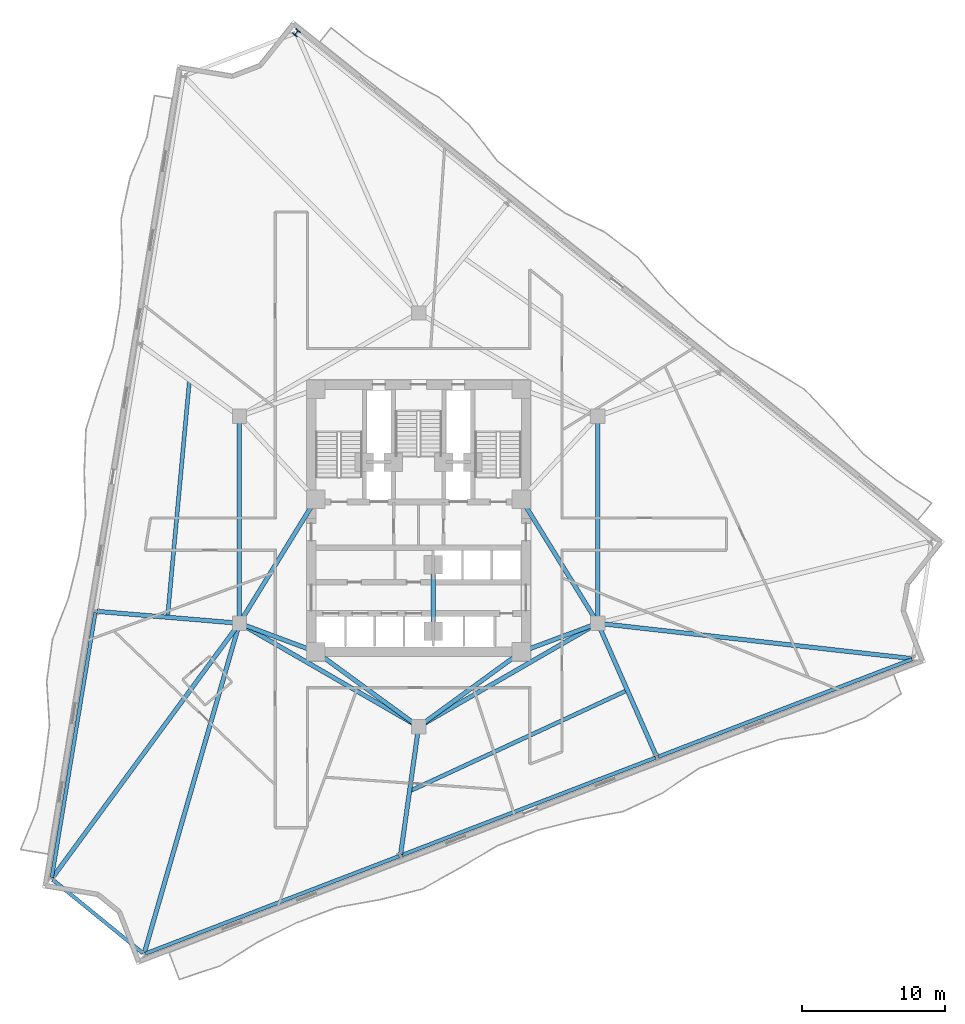
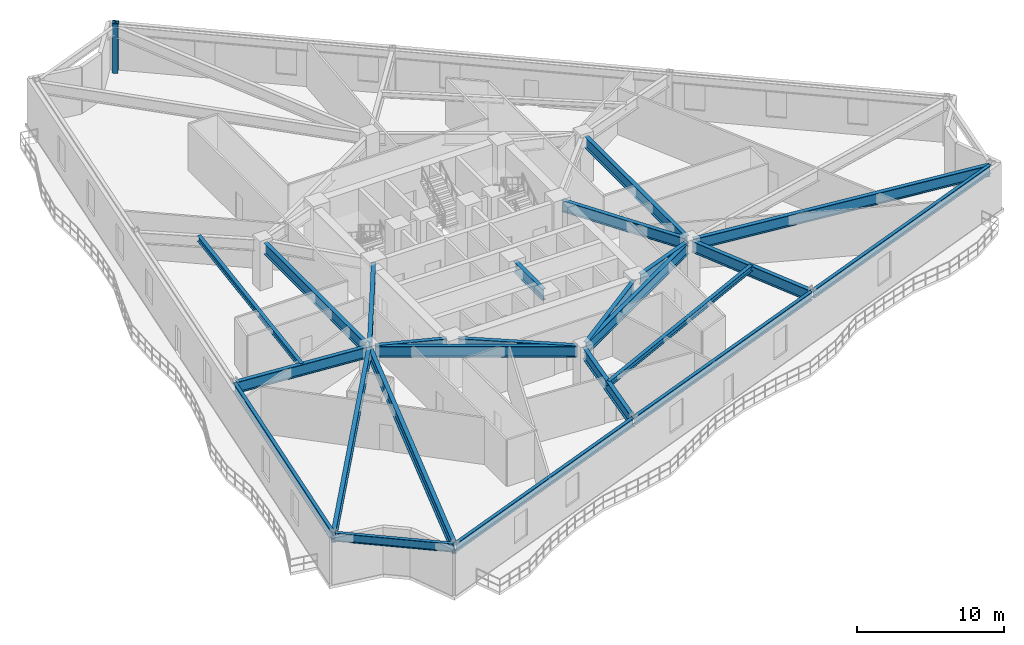
# One storey, part 2 of 11: 24 beams, 1 column.
"""IFC4 building model written with IfcOpenShell, lengths in metres."""

from ifc_helpers import new_model, si_unit, direction, frame, origin, origin_2d, place, context, subcontext, project, spatial, i_section, extrude, material, material_profile, profile_set, type_object, element, save


model = new_model("IFC4")

# Units and contexts
model_context = context("Model", 3, precision=1e-05, world=origin(), true_north=direction((0.0, 1.0)))
body_context = subcontext(model_context, "Body", "Model", "MODEL_VIEW")
ifc_project = project(units=[si_unit("LENGTHUNIT", "METRE"), si_unit("AREAUNIT", "SQUARE_METRE"), si_unit("VOLUMEUNIT", "CUBIC_METRE"), si_unit("PLANEANGLEUNIT", "RADIAN"), si_unit("MASSUNIT", "GRAM", prefix="KILO")], contexts=[model_context])

# Site, building, storey
site_placement = place(None, origin())
site = spatial("IfcSite", under=ifc_project, at=site_placement, CompositionType="ELEMENT")
building_placement = place(site_placement, origin())
building = spatial("IfcBuilding", under=site, at=building_placement, Name="Apsidion Concourse Tower", CompositionType="ELEMENT")
storey_placement = place(building_placement, frame((0.0, 0.0, 132.199951171875)))
storey = spatial("IfcBuildingStorey", under=building, at=storey_placement, Name="L30", CompositionType="ELEMENT", Elevation=132.199951171875)

# Column
ifc_material = material(Name="Structural steel ASTM A992 Grade 50", Category="steel")
ifc_material_profile_1 = material_profile(ifc_material, i_section(OverallWidth=0.410888671875, OverallDepth=0.43408203125, WebThickness=0.035888671875, FlangeThickness=0.057373046875, at=origin_2d()), Name="W14X311")
ifc_profile_set_1 = profile_set([ifc_material_profile_1], Name="Structural steel ASTM A992 Grade 50")
column_type = type_object("IfcColumnType", Name="COL-W14-311", PredefinedType="COLUMN", material=ifc_profile_set_1)
column_placement = place(storey_placement, frame((-8.565185546875, 34.1376953125, 0.0), z_axis=(0.0, 0.0, 1.0), x_axis=(-0.780757676633, 0.624833938242, 0.0)))
element("IfcColumn", 1, at=column_placement, inside=storey, type_object=column_type, Name="L30 Rotated Perimeter Column PC12", PredefinedType="COLUMN", context=body_context, shape_type="SweptSolid", body=[
    extrude(i_section(OverallWidth=0.410888671875, OverallDepth=0.43408203125, WebThickness=0.035888671875, FlangeThickness=0.057373046875, at=origin_2d()), origin(), (0.0, 0.0, 1.0), 4.10009765625),
])

# Beams
ifc_material_profile_2 = material_profile(ifc_material, i_section(OverallWidth=0.280029296875, OverallDepth=0.462890625, WebThickness=0.0107421875, FlangeThickness=0.017333984375, at=origin_2d()), Name="W18X76")
ifc_profile_set_2 = profile_set([ifc_material_profile_2], Name="Structural steel ASTM A992 Grade 50")
beam_type_1 = type_object("IfcBeamType", Name="BM-FL-W18M", PredefinedType="BEAM", material=ifc_profile_set_2)
beam_1_placement = place(storey_placement, frame((-16.05908203125, 9.798095703125, 3.61865234375), z_axis=(-0.092270423312, -0.995733985049, 0.0), x_axis=(0.995733985049, -0.092270423312, 0.0)))
element("IfcBeam", 2, at=beam_1_placement, inside=storey, type_object=beam_type_1, Name="L30 Secondary Floor Beam SEC-F1", PredefinedType="BEAM", context=body_context, shape_type="SweptSolid", body=[
    extrude(i_section(OverallWidth=0.280029296875, OverallDepth=0.462890625, WebThickness=0.0107421875, FlangeThickness=0.017333984375, at=origin_2d()), origin(), (0.0, 0.0, 1.0), 16.698486328125),
])
beam_2_placement = place(storey_placement, frame((-0.6376953125, -19.018310546875, 3.61865234375), z_axis=(0.907312361657, 0.420457225392, 0.0), x_axis=(-0.420457225392, 0.907312361657, 0.0)))
element("IfcBeam", 3, at=beam_2_placement, inside=storey, type_object=beam_type_1, Name="L30 Secondary Floor Beam SEC-F2", PredefinedType="BEAM", context=body_context, shape_type="SweptSolid", body=[
    extrude(i_section(OverallWidth=0.280029296875, OverallDepth=0.462890625, WebThickness=0.0107421875, FlangeThickness=0.017333984375, at=origin_2d()), origin(), (0.0, 0.0, 1.0), 16.82568359375),
])
ifc_material_profile_3 = material_profile(ifc_material, i_section(OverallWidth=0.31005859375, OverallDepth=0.931884765625, WebThickness=0.02099609375, FlangeThickness=0.034423828125, at=origin_2d()), Name="W36X210")
ifc_profile_set_3 = profile_set([ifc_material_profile_3], Name="Structural steel ASTM A992 Grade 50")
beam_type_2 = type_object("IfcBeamType", Name="BM-G-W36", PredefinedType="USERDEFINED", material=ifc_profile_set_3)
beam_3_placement = place(storey_placement, frame((-12.185302734375, -7.389892578125, 3.384033203125), z_axis=(0.936913021145, -0.349562570664, 0.0), x_axis=(0.349562570664, 0.936913021145, 0.0)))
element("IfcBeam", 4, at=beam_3_placement, inside=storey, type_object=beam_type_2, Name="L30 Core Coupling Girder IC1-SC1", ObjectType="GIRDER", PredefinedType="USERDEFINED", context=body_context, shape_type="SweptSolid", body=[
    extrude(i_section(OverallWidth=0.31005859375, OverallDepth=0.931884765625, WebThickness=0.02099609375, FlangeThickness=0.034423828125, at=origin_2d()), origin(), (0.0, 0.0, 1.0), 4.921142578125),
])
beam_4_placement = place(storey_placement, frame((-12.35009765625, -6.909423828125, 3.384033203125), z_axis=(0.524524009763, 0.851395656074, 0.0), x_axis=(-0.851395656074, 0.524524009763, 0.0)))
element("IfcBeam", 5, at=beam_4_placement, inside=storey, type_object=beam_type_2, Name="L30 Core Coupling Girder IC1-SC6", ObjectType="GIRDER", PredefinedType="USERDEFINED", context=body_context, shape_type="SweptSolid", body=[
    extrude(i_section(OverallWidth=0.31005859375, OverallDepth=0.931884765625, WebThickness=0.02099609375, FlangeThickness=0.034423828125, at=origin_2d()), origin(), (0.0, 0.0, 1.0), 9.41845703125),
])
beam_5_placement = place(storey_placement, frame((12.185302734375, -7.389892578125, 3.384033203125), z_axis=(-0.936913021145, -0.349562570664, 0.0), x_axis=(0.349562570664, -0.936913021145, 0.0)))
element("IfcBeam", 6, at=beam_5_placement, inside=storey, type_object=beam_type_2, Name="L30 Core Coupling Girder IC2-SC2", ObjectType="GIRDER", PredefinedType="USERDEFINED", context=body_context, shape_type="SweptSolid", body=[
    extrude(i_section(OverallWidth=0.31005859375, OverallDepth=0.931884765625, WebThickness=0.02099609375, FlangeThickness=0.034423828125, at=origin_2d()), origin(), (0.0, 0.0, 1.0), 4.921142578125),
])
beam_6_placement = place(storey_placement, frame((12.35009765625, -6.909423828125, 3.384033203125), z_axis=(-0.524524009763, 0.851395656074, 0.0), x_axis=(-0.851395656074, -0.524524009763, 0.0)))
element("IfcBeam", 7, at=beam_6_placement, inside=storey, type_object=beam_type_2, Name="L30 Core Coupling Girder IC2-SC3", ObjectType="GIRDER", PredefinedType="USERDEFINED", context=body_context, shape_type="SweptSolid", body=[
    extrude(i_section(OverallWidth=0.31005859375, OverallDepth=0.931884765625, WebThickness=0.02099609375, FlangeThickness=0.034423828125, at=origin_2d()), origin(), (0.0, 0.0, 1.0), 9.41845703125),
])
for number, where, z_axis, x_axis, name in (
    (8, (-0.3232421875, -14.264404296875, 3.384033203125), (-0.807993498909, 0.589191399905, 0.0), (-0.589191399905, -0.807993498909, 0.0), "L30 Core Coupling Girder IC6-SC1"),
    (9, (0.3232421875, -14.264404296875, 3.384033203125), (0.807993498909, 0.589191399905, 0.0), (-0.589191399905, 0.807993498909, 0.0), "L30 Core Coupling Girder IC6-SC2"),
):
    element("IfcBeam", number, at=place(storey_placement, frame(where, z_axis=z_axis, x_axis=x_axis)), inside=storey, type_object=beam_type_2, Name=name, ObjectType="GIRDER", PredefinedType="USERDEFINED", context=body_context, shape_type="SweptSolid", body=[
        extrude(i_section(OverallWidth=0.31005859375, OverallDepth=0.931884765625, WebThickness=0.02099609375, FlangeThickness=0.034423828125, at=origin_2d()), origin(), (0.0, 0.0, 1.0), 8.11083984375),
    ])
for number, where, z_axis, x_axis, name in (
    (10, (-12.56005859375, -6.85009765625, 3.384033203125), (0.0, 1.0, 0.0), (-1.0, 0.0, 0.0), "L30 Core Coupling Girder IC1-IC5"),
    (11, (12.56005859375, 6.85009765625, 3.384033203125), (0.0, -1.0, 0.0), (1.0, 0.0, 0.0), "L30 Core Coupling Girder IC3-IC2"),
):
    element("IfcBeam", number, at=place(storey_placement, frame(where, z_axis=z_axis, x_axis=x_axis)), inside=storey, type_object=beam_type_2, Name=name, ObjectType="GIRDER", PredefinedType="USERDEFINED", context=body_context, shape_type="SweptSolid", body=[
        extrude(i_section(OverallWidth=0.31005859375, OverallDepth=0.931884765625, WebThickness=0.02099609375, FlangeThickness=0.034423828125, at=origin_2d()), origin(), (0.0, 0.0, 1.0), 13.7001953125),
    ])
for number, where, z_axis, x_axis, name in (
    (12, (12.213623046875, -7.449951171875, 3.384033203125), (-0.866070471464, -0.499921932364, 0.0), (0.499921932364, -0.866070471464, 0.0), "L30 Core Coupling Girder IC2-IC6"),
    (13, (-0.346435546875, -14.300048828125, 3.384033203125), (-0.866070471464, 0.499921932364, 0.0), (-0.499921932364, -0.866070471464, 0.0), "L30 Core Coupling Girder IC6-IC1"),
):
    element("IfcBeam", number, at=place(storey_placement, frame(where, z_axis=z_axis, x_axis=x_axis)), inside=storey, type_object=beam_type_2, Name=name, ObjectType="GIRDER", PredefinedType="USERDEFINED", context=body_context, shape_type="SweptSolid", body=[
        extrude(i_section(OverallWidth=0.31005859375, OverallDepth=0.931884765625, WebThickness=0.02099609375, FlangeThickness=0.034423828125, at=origin_2d()), origin(), (0.0, 0.0, 1.0), 13.702392578125),
    ])
beam_7_placement = place(storey_placement, frame((1.02490234375, -3.550048828125, 3.384033203125), z_axis=(0.0, -1.0, 0.0), x_axis=(1.0, 0.0, 0.0)))
element("IfcBeam", 14, at=beam_7_placement, inside=storey, type_object=beam_type_2, Name="L30 Core Coupling Girder CC5-CC6", ObjectType="GIRDER", PredefinedType="USERDEFINED", context=body_context, shape_type="SweptSolid", body=[
    extrude(i_section(OverallWidth=0.31005859375, OverallDepth=0.931884765625, WebThickness=0.02099609375, FlangeThickness=0.034423828125, at=origin_2d()), origin(), (0.0, 0.0, 1.0), 3.849853515625),
])
beam_8_placement = place(storey_placement, frame((-12.779296875, -7.231689453125, 3.384033203125), z_axis=(-0.996528374011, 0.083253827489, 0.0), x_axis=(-0.083253827489, -0.996528374011, 0.0)))
element("IfcBeam", 15, at=beam_8_placement, inside=storey, type_object=beam_type_2, Name="L30 Radial Floor Girder RAD-03", ObjectType="GIRDER", PredefinedType="USERDEFINED", context=body_context, shape_type="SweptSolid", body=[
    extrude(i_section(OverallWidth=0.31005859375, OverallDepth=0.931884765625, WebThickness=0.02099609375, FlangeThickness=0.034423828125, at=origin_2d()), origin(), (0.0, 0.0, 1.0), 9.79443359375),
])
beam_9_placement = place(storey_placement, frame((-12.690185546875, -7.42724609375, 3.384033203125), z_axis=(-0.592104054542, -0.80586151949, 0.0), x_axis=(0.80586151949, -0.592104054542, 0.0)))
element("IfcBeam", 16, at=beam_9_placement, inside=storey, type_object=beam_type_2, Name="L30 Radial Floor Girder RAD-04", ObjectType="GIRDER", PredefinedType="USERDEFINED", context=body_context, shape_type="SweptSolid", body=[
    extrude(i_section(OverallWidth=0.31005859375, OverallDepth=0.931884765625, WebThickness=0.02099609375, FlangeThickness=0.034423828125, at=origin_2d()), origin(), (0.0, 0.0, 1.0), 21.907470703125),
])
beam_10_placement = place(storey_placement, frame((-12.62109375, -7.46142578125, 3.384033203125), z_axis=(-0.277124061606, -0.960834145146, 0.0), x_axis=(0.960834145146, -0.277124061606, 0.0)))
element("IfcBeam", 17, at=beam_10_placement, inside=storey, type_object=beam_type_2, Name="L30 Radial Floor Girder RAD-05", ObjectType="GIRDER", PredefinedType="USERDEFINED", context=body_context, shape_type="SweptSolid", body=[
    extrude(i_section(OverallWidth=0.31005859375, OverallDepth=0.931884765625, WebThickness=0.02099609375, FlangeThickness=0.034423828125, at=origin_2d()), origin(), (0.0, 0.0, 1.0), 23.810302734375),
])
beam_11_placement = place(storey_placement, frame((-0.03076171875, -14.7177734375, 3.384033203125), z_axis=(-0.139728877642, -0.990189800368, 0.0), x_axis=(0.990189800368, -0.139728877642, 0.0)))
element("IfcBeam", 18, at=beam_11_placement, inside=storey, type_object=beam_type_2, Name="L30 Radial Floor Girder RAD-06", ObjectType="GIRDER", PredefinedType="USERDEFINED", context=body_context, shape_type="SweptSolid", body=[
    extrude(i_section(OverallWidth=0.31005859375, OverallDepth=0.931884765625, WebThickness=0.02099609375, FlangeThickness=0.034423828125, at=origin_2d()), origin(), (0.0, 0.0, 1.0), 8.80615234375),
])
beam_12_placement = place(storey_placement, frame((12.648681640625, -7.451416015625, 3.384033203125), z_axis=(0.403246465544, -0.915091409656, 0.0), x_axis=(0.915091409656, 0.403246465544, 0.0)))
element("IfcBeam", 19, at=beam_12_placement, inside=storey, type_object=beam_type_2, Name="L30 Radial Floor Girder RAD-07", ObjectType="GIRDER", PredefinedType="USERDEFINED", context=body_context, shape_type="SweptSolid", body=[
    extrude(i_section(OverallWidth=0.31005859375, OverallDepth=0.931884765625, WebThickness=0.02099609375, FlangeThickness=0.034423828125, at=origin_2d()), origin(), (0.0, 0.0, 1.0), 9.93896484375),
])
beam_13_placement = place(storey_placement, frame((12.778564453125, -7.274658203125, 3.384033203125), z_axis=(0.993722887176, -0.111869671955, 0.0), x_axis=(0.111869671955, 0.993722887176, 0.0)))
element("IfcBeam", 20, at=beam_13_placement, inside=storey, type_object=beam_type_2, Name="L30 Radial Floor Girder RAD-08", ObjectType="GIRDER", PredefinedType="USERDEFINED", context=body_context, shape_type="SweptSolid", body=[
    extrude(i_section(OverallWidth=0.31005859375, OverallDepth=0.931884765625, WebThickness=0.02099609375, FlangeThickness=0.034423828125, at=origin_2d()), origin(), (0.0, 0.0, 1.0), 21.928466796875),
])
ifc_material_profile_4 = material_profile(ifc_material, i_section(OverallWidth=0.256103515625, OverallDepth=0.693115234375, WebThickness=0.014404296875, FlangeThickness=0.023681640625, at=origin_2d()), Name="W27X114")
ifc_profile_set_4 = profile_set([ifc_material_profile_4], Name="Structural steel ASTM A992 Grade 50")
beam_type_3 = type_object("IfcBeamType", Name="BM-SP-W27", PredefinedType="SPANDREL", material=ifc_profile_set_4)
beam_14_placement = place(storey_placement, frame((-22.65576171875, -6.506591796875, 3.503662109375), z_axis=(-0.162122790078, -0.986770591849, 0.0), x_axis=(0.986770591849, -0.162122790078, 0.0)))
element("IfcBeam", 21, at=beam_14_placement, inside=storey, type_object=beam_type_3, Name="L30 Perimeter Spandrel Girder SP-03", PredefinedType="SPANDREL", context=body_context, shape_type="SweptSolid", body=[
    extrude(i_section(OverallWidth=0.256103515625, OverallDepth=0.693115234375, WebThickness=0.014404296875, FlangeThickness=0.023681640625, at=origin_2d()), origin(), (0.0, 0.0, 1.0), 18.8056640625),
])
beam_15_placement = place(storey_placement, frame((-25.643310546875, -25.225341796875, 3.503662109375), z_axis=(0.775340926365, -0.631542910579, 0.0), x_axis=(0.631542910579, 0.775340926365, 0.0)))
element("IfcBeam", 22, at=beam_15_placement, inside=storey, type_object=beam_type_3, Name="L30 Perimeter Spandrel Girder SP-04", PredefinedType="SPANDREL", context=body_context, shape_type="SweptSolid", body=[
    extrude(i_section(OverallWidth=0.256103515625, OverallDepth=0.693115234375, WebThickness=0.014404296875, FlangeThickness=0.023681640625, at=origin_2d()), origin(), (0.0, 0.0, 1.0), 8.1494140625),
])
for number, where, z_axis, x_axis, name in (
    (23, (-19.15380859375, -30.3994140625, 3.503662109375), (0.933579256938, 0.358370996335, 0.0), (-0.358370996335, 0.933579256938, 0.0), "L30 Perimeter Spandrel Girder SP-05"),
    (24, (-1.181884765625, -23.500732421875, 3.503662109375), (0.933579256938, 0.358370996335, 0.0), (-0.358370996335, 0.933579256938, 0.0), "L30 Perimeter Spandrel Girder SP-06"),
    (25, (16.7900390625, -16.60205078125, 3.503662109375), (0.933579256938, 0.358370996335, 0.0), (-0.358370996335, 0.933579256938, 0.0), "L30 Perimeter Spandrel Girder SP-07"),
):
    element("IfcBeam", number, at=place(storey_placement, frame(where, z_axis=z_axis, x_axis=x_axis)), inside=storey, type_object=beam_type_3, Name=name, PredefinedType="SPANDREL", context=body_context, shape_type="SweptSolid", body=[
        extrude(i_section(OverallWidth=0.256103515625, OverallDepth=0.693115234375, WebThickness=0.014404296875, FlangeThickness=0.023681640625, at=origin_2d()), origin(), (0.0, 0.0, 1.0), 19.050537109375),
    ])

save(model, "model.ifc")
